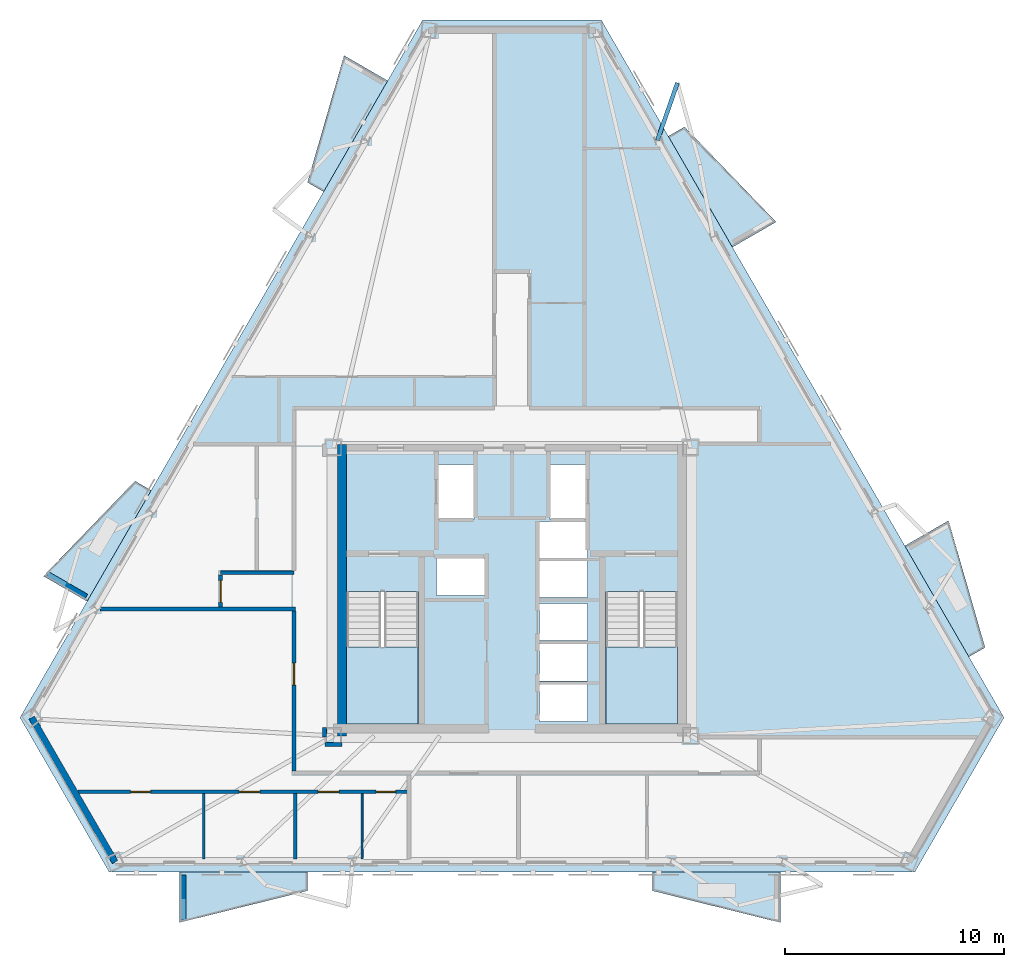
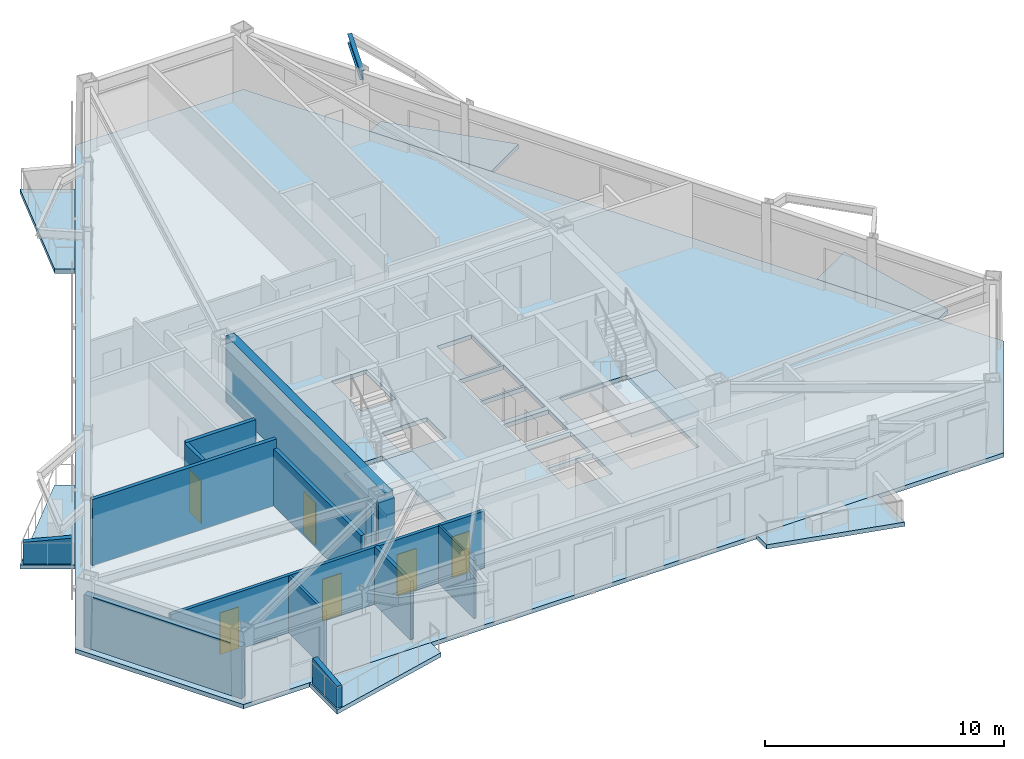
# One storey, part 2 of 8: 14 walls, 9 slabs, 6 doors, 1 beam, 6 openings, 2 elements without a shape of their own.
"""IFC4 building model written with IfcOpenShell, lengths in metres."""

from ifc_helpers import new_model, si_unit, direction, frame, frame_2d, origin, origin_2d, place, context, subcontext, project, spatial, polyline, rectangle, i_section, outline, extrude, material, layer, layer_set, material_profile, profile_set, type_object, element, fill, aggregate, save


model = new_model("IFC4")

# Units and contexts
model_context = context("Model", 3, precision=1e-05, world=origin(), true_north=direction((0.0, 1.0)))
body_context = subcontext(model_context, "Body", "Model", "MODEL_VIEW")
ifc_project = project(units=[si_unit("LENGTHUNIT", "METRE"), si_unit("AREAUNIT", "SQUARE_METRE"), si_unit("VOLUMEUNIT", "CUBIC_METRE"), si_unit("PLANEANGLEUNIT", "RADIAN"), si_unit("MASSUNIT", "GRAM", prefix="KILO")], contexts=[model_context])

# Site, building, storey
site_placement = place(None, origin())
site = spatial("IfcSite", under=ifc_project, at=site_placement, CompositionType="ELEMENT")
building_placement = place(site_placement, origin())
building = spatial("IfcBuilding", under=site, at=building_placement, Name="Oramaril Tower", CompositionType="ELEMENT")
storey_placement = place(building_placement, frame((0.0, 0.0, 193.800048828125)))
storey = spatial("IfcBuildingStorey", under=building, at=storey_placement, Name="L51", CompositionType="ELEMENT", Elevation=193.800048828125)

# Beam
ifc_material_1 = material(Name="Steel ASTM A572 Gr 50", Category="steel")
ifc_material_profile = material_profile(ifc_material_1, i_section(OverallWidth=0.19091796875, OverallDepth=0.45703125, WebThickness=0.009033203125, FlangeThickness=0.014404296875, at=origin_2d()), Name="W18X50")
ifc_profile_set = profile_set([ifc_material_profile], Name="Steel ASTM A572 Gr 50")
beam_type = type_object("IfcBeamType", Name="BT-BB1", PredefinedType="BEAM", material=ifc_profile_set)
beam_placement = place(storey_placement, frame((44.13720703125, 38.180908203125, 3.1513671875), z_axis=(0.32885043953, 0.944382014029, 0.0), x_axis=(-0.944382014029, 0.32885043953, 0.0)))
element("IfcBeam", 1, at=beam_placement, inside=storey, type_object=beam_type, Name="L51 Balcony Column-Framed Cantilever 04.2", PredefinedType="BEAM", context=body_context, shape_type="SweptSolid", body=[
    extrude(i_section(OverallWidth=0.19091796875, OverallDepth=0.45703125, WebThickness=0.009033203125, FlangeThickness=0.014404296875, at=origin_2d()), origin(), (0.0, 0.0, 1.0), 2.78466796875),
])

# Slabs
ifc_material_2 = material(Name="Concrete C40/50", Category="concrete")
ifc_layer_1 = layer(ifc_material_2, 0.199951171875)
ifc_layer_set_1 = layer_set([ifc_layer_1], Name="SLT-BAL20")
slab_type_1 = type_object("IfcSlabType", Name="SLT-BAL20", PredefinedType="FLOOR", material=ifc_layer_set_1)
slab_1_placement = place(storey_placement, frame((0.0, 0.0, -0.219970703125)))
element("IfcSlab", 2, at=slab_1_placement, inside=storey, type_object=slab_type_1, Name="L51 Cantilevered Balcony Slab L51-BAL-S1", PredefinedType="FLOOR", context=body_context, shape_type="SweptSolid", body=[
    extrude(outline(polyline([(22.317138671875, 4.78369140625), (28.1669921875, 4.78369140625), (28.1669921875, 3.931640625), (22.317138671875, 2.481689453125), (22.317138671875, 4.78369140625)])), origin(), (0.0, 0.0, 1.0), 0.219970703125),
])
slab_2_placement = place(storey_placement, frame((0.0, 0.0, -0.219970703125)))
element("IfcSlab", 3, at=slab_2_placement, inside=storey, type_object=slab_type_1, Name="L51 Cantilevered Balcony Slab L51-BAL-NE2", PredefinedType="FLOOR", context=body_context, shape_type="SweptSolid", body=[
    extrude(outline(polyline([(47.560302734375, 33.3076171875), (44.635498046875, 38.373779296875), (45.373291015625, 38.7998046875), (49.553955078125, 34.45849609375), (47.560302734375, 33.3076171875)])), origin(), (0.0, 0.0, 1.0), 0.219970703125),
])
slab_3_placement = place(storey_placement, frame((0.0, 0.0, -0.219970703125)))
element("IfcSlab", 4, at=slab_3_placement, inside=storey, type_object=slab_type_1, Name="L51 Cantilevered Balcony Slab L51-BAL-NW1", PredefinedType="FLOOR", context=body_context, shape_type="SweptSolid", body=[
    extrude(outline(polyline([(31.8271484375, 40.906982421875), (28.902099609375, 35.8408203125), (28.164306640625, 36.2666015625), (29.83349609375, 42.057861328125), (31.8271484375, 40.906982421875)])), origin(), (0.0, 0.0, 1.0), 0.219970703125),
])
ifc_material_3 = material(Name="Concrete C50/60", Category="concrete")
ifc_layer_2 = layer(ifc_material_3, 0.219970703125)
ifc_layer_set_2 = layer_set([ifc_layer_2], Name="SLT-FLR22")
slab_type_2 = type_object("IfcSlabType", Name="SLT-FLR22", PredefinedType="FLOOR", material=ifc_layer_set_2)
slab_4_placement = place(storey_placement, frame((0.0, 0.0, -0.219970703125)))
element("IfcSlab", 5, at=slab_4_placement, inside=storey, type_object=slab_type_2, Name="L51 Structural Floor Slab", PredefinedType="FLOOR", context=body_context, shape_type="SweptSolid", body=[
    extrude(outline(polyline([(15.04248046875, 11.839111328125), (19.1171875, 4.78173828125), (55.8828125, 4.78173828125), (59.95751953125, 11.839111328125), (41.57470703125, 43.67919921875), (33.42529296875, 43.67919921875), (15.04248046875, 11.839111328125)]), holes=[polyline([(29.949951171875, 17.58935546875), (29.949951171875, 11.550048828125), (33.219970703125, 11.550048828125), (33.219970703125, 17.58935546875), (29.949951171875, 17.58935546875)]), polyline([(41.780029296875, 17.58935546875), (41.780029296875, 11.550048828125), (45.050048828125, 11.550048828125), (45.050048828125, 17.58935546875), (41.780029296875, 17.58935546875)]), polyline([(34.110107421875, 20.909912109375), (35.7900390625, 20.909912109375), (35.7900390625, 23.389892578125), (34.110107421875, 23.389892578125), (34.110107421875, 20.909912109375)]), polyline([(39.2099609375, 20.909912109375), (40.889892578125, 20.909912109375), (40.889892578125, 23.389892578125), (39.2099609375, 23.389892578125), (39.2099609375, 20.909912109375)]), polyline([(38.760009765625, 11.659912109375), (40.93994140625, 11.659912109375), (40.93994140625, 13.340087890625), (38.760009765625, 13.340087890625), (38.760009765625, 11.659912109375)]), polyline([(38.760009765625, 13.510009765625), (40.93994140625, 13.510009765625), (40.93994140625, 15.18994140625), (38.760009765625, 15.18994140625), (38.760009765625, 13.510009765625)]), polyline([(38.760009765625, 15.360107421875), (40.93994140625, 15.360107421875), (40.93994140625, 17.0400390625), (38.760009765625, 17.0400390625), (38.760009765625, 15.360107421875)]), polyline([(34.06005859375, 17.409912109375), (36.239990234375, 17.409912109375), (36.239990234375, 19.090087890625), (34.06005859375, 19.090087890625), (34.06005859375, 17.409912109375)]), polyline([(38.760009765625, 17.31005859375), (40.93994140625, 17.31005859375), (40.93994140625, 18.989990234375), (38.760009765625, 18.989990234375), (38.760009765625, 17.31005859375)]), polyline([(38.760009765625, 19.110107421875), (40.93994140625, 19.110107421875), (40.93994140625, 20.7900390625), (38.760009765625, 20.7900390625), (38.760009765625, 19.110107421875)])]), origin(), (0.0, 0.0, 1.0), 0.219970703125),
])

# Stair, slab
ifc_material_4 = material(Name="Concrete C50/60", Category="concrete")
stair_type = type_object("IfcStairType", Name="STT-DG-3600", PredefinedType="HALF_TURN_STAIR", material=ifc_material_4)
stair_1_placement = place(storey_placement, origin())
stair_1 = element("IfcStair", 6, at=stair_1_placement, inside=storey, type_object=stair_type, Name="L51 Protected PFP Exit Stair ST-1", PredefinedType="HALF_TURN_STAIR")
ifc_material_5 = material(Name="Concrete C50/60", Category="concrete")
ifc_layer_3 = layer(ifc_material_5, 0.199951171875)
ifc_layer_set_3 = layer_set([ifc_layer_3], Name="SLT-LND20")
slab_type_3 = type_object("IfcSlabType", Name="SLT-LND20", PredefinedType="LANDING", material=ifc_layer_set_3)
slab_5_placement = place(storey_placement, frame((0.0, 0.0, 1.599853515625)))
slab_5 = element("IfcSlab", 7, at=slab_5_placement, type_object=slab_type_3, Name="ST-1 landing 1", PredefinedType="LANDING", context=body_context, shape_type="SweptSolid", body=[
    extrude(outline(polyline([(29.949951171875, 15.070068359375), (29.949951171875, 11.550048828125), (33.219970703125, 11.550048828125), (33.219970703125, 15.070068359375), (29.949951171875, 15.070068359375)])), origin(), (0.0, 0.0, 1.0), 0.2001953125),
])
aggregate(stair_1, [slab_5])

stair_2_placement = place(storey_placement, origin())
stair_2 = element("IfcStair", 8, at=stair_2_placement, inside=storey, type_object=stair_type, Name="L51 Protected PFP Exit Stair ST-2", PredefinedType="HALF_TURN_STAIR")
slab_6_placement = place(storey_placement, frame((0.0, 0.0, 1.599853515625)))
slab_6 = element("IfcSlab", 9, at=slab_6_placement, type_object=slab_type_3, Name="ST-2 landing 1", PredefinedType="LANDING", context=body_context, shape_type="SweptSolid", body=[
    extrude(outline(polyline([(41.780029296875, 15.070068359375), (41.780029296875, 11.550048828125), (45.050048828125, 11.550048828125), (45.050048828125, 15.070068359375), (41.780029296875, 15.070068359375)])), origin(), (0.0, 0.0, 1.0), 0.2001953125),
])
aggregate(stair_2, [slab_6])

# Slabs
ifc_material_6 = material(Name="Concrete C40/50", Category="concrete")
ifc_layer_4 = layer(ifc_material_6, 0.18994140625)
ifc_layer_set_4 = layer_set([ifc_layer_4], Name="SLT-PLN19")
slab_type_4 = type_object("IfcSlabType", Name="SLT-PLN19", PredefinedType="FLOOR", material=ifc_layer_set_4)
slab_7_placement = place(storey_placement, frame((0.0, 0.0, -0.219970703125)))
element("IfcSlab", 10, at=slab_7_placement, inside=storey, type_object=slab_type_4, Name="L51 Tree Planter Balcony Slab L51-BAL-S2", PredefinedType="FLOOR", context=body_context, shape_type="SweptSolid", body=[
    extrude(outline(polyline([(43.907958984375, 4.78369140625), (49.7578125, 4.78369140625), (49.7578125, 2.481689453125), (43.907958984375, 3.931640625), (43.907958984375, 4.78369140625)])), origin(), (0.0, 0.0, 1.0), 0.219970703125),
])
slab_8_placement = place(storey_placement, frame((0.0, 0.0, -0.219970703125)))
element("IfcSlab", 11, at=slab_8_placement, inside=storey, type_object=slab_type_4, Name="L51 Tree Planter Balcony Slab L51-BAL-NE1", PredefinedType="FLOOR", context=body_context, shape_type="SweptSolid", body=[
    extrude(outline(polyline([(58.355712890625, 14.609375), (55.430908203125, 19.675537109375), (57.42431640625, 20.82666015625), (59.093505859375, 15.035400390625), (58.355712890625, 14.609375)])), origin(), (0.0, 0.0, 1.0), 0.219970703125),
])
slab_9_placement = place(storey_placement, frame((0.0, 0.0, -0.219970703125)))
element("IfcSlab", 12, at=slab_9_placement, inside=storey, type_object=slab_type_4, Name="L51 Tree Planter Balcony Slab L51-BAL-NW2", PredefinedType="FLOOR", context=body_context, shape_type="SweptSolid", body=[
    extrude(outline(polyline([(21.03173828125, 22.208740234375), (18.106689453125, 17.142578125), (16.113037109375, 18.29345703125), (20.2939453125, 22.634765625), (21.03173828125, 22.208740234375)])), origin(), (0.0, 0.0, 1.0), 0.219970703125),
])

# Walls
ifc_material_7 = material(Name="Warm Cream Limestone", Category="masonry")
ifc_layer_5 = layer(ifc_material_7, 0.2900390625)
ifc_layer_set_5 = layer_set([ifc_layer_5], Name="WT-EXT29")
wall_type_1 = type_object("IfcWallType", Name="WT-EXT29", PredefinedType="SOLIDWALL", material=ifc_layer_set_5)
wall_1_placement = place(storey_placement, frame((15.57373046875, 11.839111328125, 0.0), z_axis=(0.0, 0.0, 1.0), x_axis=(0.500006337612, -0.866021744731, 0.0)))
element("IfcWall", 13, at=wall_1_placement, inside=storey, type_object=wall_type_1, Name="L51 Tower Limestone Facade Wall 1M", PredefinedType="SOLIDWALL", context=body_context, shape_type="SweptSolid", body=[
    extrude(rectangle(XDim=7.6181640625, YDim=0.2900390625, at=frame_2d((3.80908203125, 0.0))), origin(), (0.0, 0.0, 1.0), 2.677001953125),
])
ifc_material_8 = material(Name="Concrete C40/50", Category="concrete")
ifc_layer_6 = layer(ifc_material_8, 0.22998046875)
ifc_layer_set_6 = layer_set([ifc_layer_6], Name="WT-PRP23")
wall_type_2 = type_object("IfcWallType", Name="WT-PRP23", PredefinedType="PARAPET", material=ifc_layer_set_6)
for number, where, z_axis, x_axis, name in (
    (14, (22.4970703125, 4.643798828125, 0.0), (0.0, 0.0, 1.0), (0.0, -1.0, 0.0), "L51 Trapezoidal Balcony Frame Cheek L51-BAL-S1-L"),
    (15, (18.075439453125, 17.368408203125, 0.0), (0.0, 0.0, 1.0), (-0.866012356593, 0.500022597718, 0.0), "L51 Trapezoidal Balcony Frame Cheek L51-BAL-NW2-R"),
):
    element("IfcWall", number, at=place(storey_placement, frame(where, z_axis=z_axis, x_axis=x_axis)), inside=storey, type_object=wall_type_2, Name=name, PredefinedType="PARAPET", context=body_context, shape_type="SweptSolid", body=[
        extrude(outline(polyline([(0.0, 0.0), (2.0419921875, 0.0), (2.0419921875, 1.099853515625), (0.0, 1.320068359375), (0.0, 0.0)])), frame((0.0, 0.114990234375, 0.0), z_axis=(0.0, -1.0, 0.0), x_axis=(1.0, 0.0, 0.0)), (0.0, 0.0, 1.0), 0.22998046875),
    ])
ifc_material_9 = material(Name="Acoustic Gypsum Board Partition")
ifc_layer_7 = layer(ifc_material_9, 0.10009765625)
ifc_layer_set_7 = layer_set([ifc_layer_7], Name="WT-PT10")
wall_type_3 = type_object("IfcWallType", Name="WT-PT10", PredefinedType="PARTITIONING", material=ifc_layer_set_7)
wall_2_placement = place(storey_placement, frame((30.659912109375, 5.390625, 0.0), z_axis=(0.0, 0.0, 1.0), x_axis=(0.0, 1.0, 0.0)))
element("IfcWall", 16, at=wall_2_placement, inside=storey, type_object=wall_type_3, Name="L51 Interior Partition PT-10", PredefinedType="PARTITIONING", context=body_context, shape_type="SweptSolid", body=[
    extrude(rectangle(XDim=2.9853515625, YDim=0.10009765625, at=frame_2d((1.49267578125, 0.0))), origin(), (0.0, 0.0, 1.0), 2.966064453125),
])
ifc_material_10 = material(Name="Acoustic Gypsum Board Partition")
ifc_layer_8 = layer(ifc_material_10, 0.1201171875)
ifc_layer_set_8 = layer_set([ifc_layer_8], Name="WT-PT12")
wall_type_4 = type_object("IfcWallType", Name="WT-PT12", PredefinedType="PARTITIONING", material=ifc_layer_set_8)
wall_3_placement = place(storey_placement, frame((23.429931640625, 5.390625, 0.0), z_axis=(0.0, 0.0, 1.0), x_axis=(0.0, 1.0, 0.0)))
element("IfcWall", 17, at=wall_3_placement, inside=storey, type_object=wall_type_4, Name="L51 Interior Partition PT-12", PredefinedType="PARTITIONING", context=body_context, shape_type="SweptSolid", body=[
    extrude(rectangle(XDim=2.9853515625, YDim=0.1201171875, at=frame_2d((1.49267578125, 0.0))), origin(), (0.0, 0.0, 1.0), 2.912841796875),
])

# Wall, openings, doors
ifc_material_11 = material(Name="Acoustic Gypsum Board Partition")
ifc_layer_9 = layer(ifc_material_11, 0.159912109375)
ifc_layer_set_9 = layer_set([ifc_layer_9], Name="WT-PT16")
wall_type_5 = type_object("IfcWallType", Name="WT-PT16", PredefinedType="PARTITIONING", material=ifc_layer_set_9)
wall_4_placement = place(storey_placement, frame((17.69677734375, 8.4599609375, 0.0), z_axis=(0.0, 0.0, 1.0), x_axis=(1.0, 0.0, 0.0)))
wall_4 = element("IfcWall", 18, at=wall_4_placement, inside=storey, type_object=wall_type_5, Name="L51 Interior Partition PT-16", PredefinedType="PARTITIONING", context=body_context, shape_type="SweptSolid", body=[
    extrude(rectangle(XDim=15.1533203125, YDim=0.159912109375, at=frame_2d((7.57666015625, 0.0))), origin(), (0.0, 0.0, 1.0), 2.912841796875),
])
opening_1_placement = place(wall_4_placement, frame((2.392333984375, 0.0, 0.0)))
opening_1 = element("IfcOpeningElement", 19, at=opening_1_placement, cuts=wall_4, Name="Opening D-L51-01", PredefinedType="OPENING", context=body_context, shape_type="SweptSolid", body=[
    extrude(rectangle(XDim=0.919921875, YDim=2.1201171875, at=frame_2d((0.4599609375, 1.06005859375))), frame((0.0, 0.080078125, 0.0), z_axis=(0.0, -1.0, 0.0), x_axis=(1.0, 0.0, 0.0)), (0.0, 0.0, 1.0), 0.159912109375),
])
opening_2_placement = place(wall_4_placement, frame((7.346435546875, 0.0, 0.0)))
opening_2 = element("IfcOpeningElement", 20, at=opening_2_placement, cuts=wall_4, Name="Opening D-L51-02", PredefinedType="OPENING", context=body_context, shape_type="SweptSolid", body=[
    extrude(rectangle(XDim=0.949951171875, YDim=2.10009765625, at=frame_2d((0.47509765625, 1.050048828125))), frame((0.0, 0.080078125, 0.0), z_axis=(0.0, -1.0, 0.0), x_axis=(1.0, 0.0, 0.0)), (0.0, 0.0, 1.0), 0.159912109375),
])
opening_3_placement = place(wall_4_placement, frame((10.95849609375, 0.0, 0.0)))
opening_3 = element("IfcOpeningElement", 21, at=opening_3_placement, cuts=wall_4, Name="Opening D-L51-03", PredefinedType="OPENING", context=body_context, shape_type="SweptSolid", body=[
    extrude(rectangle(XDim=0.949951171875, YDim=2.10009765625, at=frame_2d((0.47509765625, 1.050048828125))), frame((0.0, 0.080078125, 0.0), z_axis=(0.0, -1.0, 0.0), x_axis=(1.0, 0.0, 0.0)), (0.0, 0.0, 1.0), 0.159912109375),
])
opening_4_placement = place(wall_4_placement, frame((13.60595703125, 0.0, 0.0)))
opening_4 = element("IfcOpeningElement", 22, at=opening_4_placement, cuts=wall_4, Name="Opening D-L51-04", PredefinedType="OPENING", context=body_context, shape_type="SweptSolid", body=[
    extrude(rectangle(XDim=0.8798828125, YDim=2.080078125, at=frame_2d((0.43994140625, 1.0400390625))), frame((0.0, 0.080078125, 0.0), z_axis=(0.0, -1.0, 0.0), x_axis=(1.0, 0.0, 0.0)), (0.0, 0.0, 1.0), 0.159912109375),
])
ifc_material_12 = material(Name="FSC Brazilian Freijo Hardwood", Category="wood")
door_type_1 = type_object("IfcDoorType", Name="DT-BATH", OperationType="NOTDEFINED", PredefinedType="DOOR", material=ifc_material_12)
door_1_placement = place(opening_4_placement, origin())
door_1 = element("IfcDoor", 23, at=door_1_placement, inside=storey, type_object=door_type_1, Name="L51 Flat L51-U2 Bathroom Door D-L51-04", OperationType="SINGLE_SWING_RIGHT", OverallHeight=2.080078125, OverallWidth=0.8798828125, PredefinedType="DOOR", context=body_context, shape_type="SweptSolid", body=[
    extrude(rectangle(XDim=0.8798828125, YDim=2.080078125, at=frame_2d((0.43994140625, 1.0400390625))), frame((0.0, 0.02490234375, 0.0), z_axis=(0.0, -1.0, 0.0), x_axis=(1.0, 0.0, 0.0)), (0.0, 0.0, 1.0), 0.050048828125),
])
fill(opening_4, door_1)
ifc_material_13 = material(Name="FSC Brazilian Freijo Hardwood", Category="wood")
door_type_2 = type_object("IfcDoorType", Name="DT-BED", OperationType="NOTDEFINED", PredefinedType="DOOR", material=ifc_material_13)
door_2_placement = place(opening_1_placement, origin())
door_2 = element("IfcDoor", 24, at=door_2_placement, inside=storey, type_object=door_type_2, Name="L51 Flat L51-U2 Master Bedroom Door D-L51-01", OperationType="SINGLE_SWING_LEFT", OverallHeight=2.1201171875, OverallWidth=0.919921875, PredefinedType="DOOR", context=body_context, shape_type="SweptSolid", body=[
    extrude(rectangle(XDim=0.919921875, YDim=2.1201171875, at=frame_2d((0.4599609375, 1.06005859375))), frame((0.0, 0.02490234375, 0.0), z_axis=(0.0, -1.0, 0.0), x_axis=(1.0, 0.0, 0.0)), (0.0, 0.0, 1.0), 0.050048828125),
])
fill(opening_1, door_2)
ifc_material_14 = material(Name="FSC Brazilian Freijo Hardwood", Category="wood")
door_type_3 = type_object("IfcDoorType", Name="DT-STDY", OperationType="NOTDEFINED", PredefinedType="DOOR", material=ifc_material_14)
door_3_placement = place(opening_2_placement, origin())
door_3 = element("IfcDoor", 25, at=door_3_placement, inside=storey, type_object=door_type_3, Name="L51 Flat L51-U2 Dining Room Door D-L51-02", OperationType="SINGLE_SWING_RIGHT", OverallHeight=2.10009765625, OverallWidth=0.949951171875, PredefinedType="DOOR", context=body_context, shape_type="SweptSolid", body=[
    extrude(rectangle(XDim=0.949951171875, YDim=2.10009765625, at=frame_2d((0.47509765625, 1.050048828125))), frame((0.0, 0.02490234375, 0.0), z_axis=(0.0, -1.0, 0.0), x_axis=(1.0, 0.0, 0.0)), (0.0, 0.0, 1.0), 0.050048828125),
])
fill(opening_2, door_3)
door_4_placement = place(opening_3_placement, origin())
door_4 = element("IfcDoor", 26, at=door_4_placement, inside=storey, type_object=door_type_3, Name="L51 Flat L51-U2 Kitchen Door D-L51-03", OperationType="SINGLE_SWING_LEFT", OverallHeight=2.10009765625, OverallWidth=0.949951171875, PredefinedType="DOOR", context=body_context, shape_type="SweptSolid", body=[
    extrude(rectangle(XDim=0.949951171875, YDim=2.10009765625, at=frame_2d((0.47509765625, 1.050048828125))), frame((0.0, 0.02490234375, 0.0), z_axis=(0.0, -1.0, 0.0), x_axis=(1.0, 0.0, 0.0)), (0.0, 0.0, 1.0), 0.050048828125),
])
fill(opening_3, door_4)

# Walls
wall_5_placement = place(storey_placement, frame((27.610107421875, 5.390625, 0.0), z_axis=(0.0, 0.0, 1.0), x_axis=(0.0, 1.0, 0.0)))
element("IfcWall", 27, at=wall_5_placement, inside=storey, type_object=wall_type_5, Name="L51 Interior Partition PT-16", PredefinedType="PARTITIONING", context=body_context, shape_type="SweptSolid", body=[
    extrude(rectangle(XDim=2.9853515625, YDim=0.159912109375, at=frame_2d((1.49267578125, 0.0))), origin(), (0.0, 0.0, 1.0), 2.966064453125),
])
ifc_material_15 = material(Name="Autoclaved Cellular Concrete Block", Category="concrete")
ifc_layer_10 = layer(ifc_material_15, 0.179931640625)
ifc_layer_set_10 = layer_set([ifc_layer_10], Name="WT-PT18")
wall_type_6 = type_object("IfcWallType", Name="WT-PT18", PredefinedType="PARTITIONING", material=ifc_layer_set_10)
wall_6_placement = place(storey_placement, frame((28.9599609375, 10.610107421875, 0.0), z_axis=(0.0, 0.0, 1.0), x_axis=(1.0, 0.0, 0.0)))
element("IfcWall", 28, at=wall_6_placement, inside=storey, type_object=wall_type_6, Name="L51 Interior Partition PT-18", PredefinedType="PARTITIONING", context=body_context, shape_type="SweptSolid", body=[
    extrude(rectangle(XDim=0.780029296875, YDim=0.179931640625, at=frame_2d((0.39013671875, 0.0))), origin(), (0.0, 0.0, 1.0), 3.3798828125),
])
wall_7_placement = place(storey_placement, frame((18.705810546875, 16.800048828125, 0.0), z_axis=(0.0, 0.0, 1.0), x_axis=(1.0, 0.0, 0.0)))
element("IfcWall", 29, at=wall_7_placement, inside=storey, type_object=wall_type_6, Name="L51 Interior Partition PT-18", PredefinedType="PARTITIONING", context=body_context, shape_type="SweptSolid", body=[
    extrude(rectangle(XDim=8.904296875, YDim=0.179931640625, at=frame_2d((4.4521484375, 0.0))), origin(), (0.0, 0.0, 1.0), 3.3798828125),
])
wall_8_placement = place(storey_placement, frame((24.199951171875, 18.449951171875, 0.0), z_axis=(0.0, 0.0, 1.0), x_axis=(1.0, 0.0, 0.0)))
element("IfcWall", 30, at=wall_8_placement, inside=storey, type_object=wall_type_6, Name="L51 Interior Partition PT-18", PredefinedType="PARTITIONING", context=body_context, shape_type="SweptSolid", body=[
    extrude(rectangle(XDim=3.35009765625, YDim=0.179931640625, at=frame_2d((1.675048828125, 0.0))), origin(), (0.0, 0.0, 1.0), 3.3798828125),
])

# Wall, opening, door
wall_9_placement = place(storey_placement, frame((24.199951171875, 16.89404296875, 0.0), z_axis=(0.0, 0.0, 1.0), x_axis=(0.0, 1.0, 0.0)))
wall_9 = element("IfcWall", 31, at=wall_9_placement, inside=storey, type_object=wall_type_6, Name="L51 Interior Partition PT-18", PredefinedType="PARTITIONING", context=body_context, shape_type="SweptSolid", body=[
    extrude(rectangle(XDim=1.4619140625, YDim=0.179931640625, at=frame_2d((0.73095703125, 0.0))), origin(), (0.0, 0.0, 1.0), 3.3798828125),
])
opening_5_placement = place(wall_9_placement, frame((0.20263671875, 0.0, 0.0)))
opening_5 = element("IfcOpeningElement", 32, at=opening_5_placement, cuts=wall_9, Name="Opening D-L51-13", PredefinedType="OPENING", context=body_context, shape_type="SweptSolid", body=[
    extrude(rectangle(XDim=1.0, YDim=2.179931640625, at=frame_2d((0.5, 1.08984375))), frame((0.0, 0.08984375, 0.0), z_axis=(0.0, -1.0, 0.0), x_axis=(1.0, 0.0, 0.0)), (0.0, 0.0, 1.0), 0.179931640625),
])
ifc_material_16 = material(Name="FSC Brazilian Freijo Hardwood", Category="wood")
door_type_4 = type_object("IfcDoorType", Name="DT-APT", OperationType="NOTDEFINED", PredefinedType="DOOR", material=ifc_material_16)
door_5_placement = place(opening_5_placement, origin())
door_5 = element("IfcDoor", 33, at=door_5_placement, inside=storey, type_object=door_type_4, Name="L51 Flat L51-U3 Kitchen and Studio Apartment Door D-L51-13", OperationType="SINGLE_SWING_LEFT", OverallHeight=2.179931640625, OverallWidth=1.0, PredefinedType="DOOR", context=body_context, shape_type="SweptSolid", body=[
    extrude(rectangle(XDim=1.0, YDim=2.179931640625, at=frame_2d((0.5, 1.08984375))), frame((0.0, 0.02490234375, 0.0), z_axis=(0.0, -1.0, 0.0), x_axis=(1.0, 0.0, 0.0)), (0.0, 0.0, 1.0), 0.050048828125),
])
fill(opening_5, door_5)

wall_10_placement = place(storey_placement, frame((27.550048828125, 9.39404296875, 0.0), z_axis=(0.0, 0.0, 1.0), x_axis=(0.0, 1.0, 0.0)))
wall_10 = element("IfcWall", 34, at=wall_10_placement, inside=storey, type_object=wall_type_6, Name="L51 Interior Partition PT-18", PredefinedType="PARTITIONING", context=body_context, shape_type="SweptSolid", body=[
    extrude(rectangle(XDim=7.31201171875, YDim=0.179931640625, at=frame_2d((3.656005859375, 0.0))), origin(), (0.0, 0.0, 1.0), 2.912841796875),
])
opening_6_placement = place(wall_10_placement, frame((3.927490234375, 0.0, 0.0)))
opening_6 = element("IfcOpeningElement", 35, at=opening_6_placement, cuts=wall_10, Name="Opening D-L51-15", PredefinedType="OPENING", context=body_context, shape_type="SweptSolid", body=[
    extrude(rectangle(XDim=1.0, YDim=2.179931640625, at=frame_2d((0.5, 1.08984375))), frame((0.0, 0.08984375, 0.0), z_axis=(0.0, -1.0, 0.0), x_axis=(1.0, 0.0, 0.0)), (0.0, 0.0, 1.0), 0.179931640625),
])
door_6_placement = place(opening_6_placement, origin())
door_6 = element("IfcDoor", 36, at=door_6_placement, inside=storey, type_object=door_type_4, Name="L51 Flat L51-U2 Penthouse Living and Dining Room Door D-L51-15", OperationType="SINGLE_SWING_LEFT", OverallHeight=2.179931640625, OverallWidth=1.0, PredefinedType="DOOR", context=body_context, shape_type="SweptSolid", body=[
    extrude(rectangle(XDim=1.0, YDim=2.179931640625, at=frame_2d((0.5, 1.08984375))), frame((0.0, 0.02490234375, 0.0), z_axis=(0.0, -1.0, 0.0), x_axis=(1.0, 0.0, 0.0)), (0.0, 0.0, 1.0), 0.050048828125),
])
fill(opening_6, door_6)

# Walls
wall_11_placement = place(storey_placement, frame((28.949951171875, 10.949951171875, 0.0), z_axis=(0.0, 0.0, 1.0), x_axis=(0.0, 1.0, 0.0)))
element("IfcWall", 37, at=wall_11_placement, inside=storey, type_object=wall_type_6, Name="L51 Interior Partition PT-18", PredefinedType="PARTITIONING", context=body_context, shape_type="SweptSolid", body=[
    extrude(rectangle(XDim=0.445068359375, YDim=0.179931640625, at=frame_2d((0.22265625, 0.0))), origin(), (0.0, 0.0, 1.0), 2.912841796875),
])
ifc_material_17 = material(Name="Concrete C50/60", Category="concrete")
ifc_layer_11 = layer(ifc_material_17, 0.39990234375)
ifc_layer_set_11 = layer_set([ifc_layer_11], Name="WT-SH40")
wall_type_7 = type_object("IfcWallType", Name="WT-SH40", PredefinedType="SHEAR", material=ifc_layer_set_11)
wall_12_placement = place(storey_placement, frame((29.739990234375, 11.0, 0.0), z_axis=(0.0, 0.0, 1.0), x_axis=(0.0, 1.0, 0.0)))
element("IfcWall", 38, at=wall_12_placement, inside=storey, type_object=wall_type_7, Name="L51 Core Shear Wall CW-W", PredefinedType="SHEAR", context=body_context, shape_type="SweptSolid", body=[
    extrude(rectangle(XDim=13.300048828125, YDim=0.39990234375, at=frame_2d((6.64990234375, 0.0))), origin(), (0.0, 0.0, 1.0), 3.3798828125),
])

save(model, "model.ifc")
